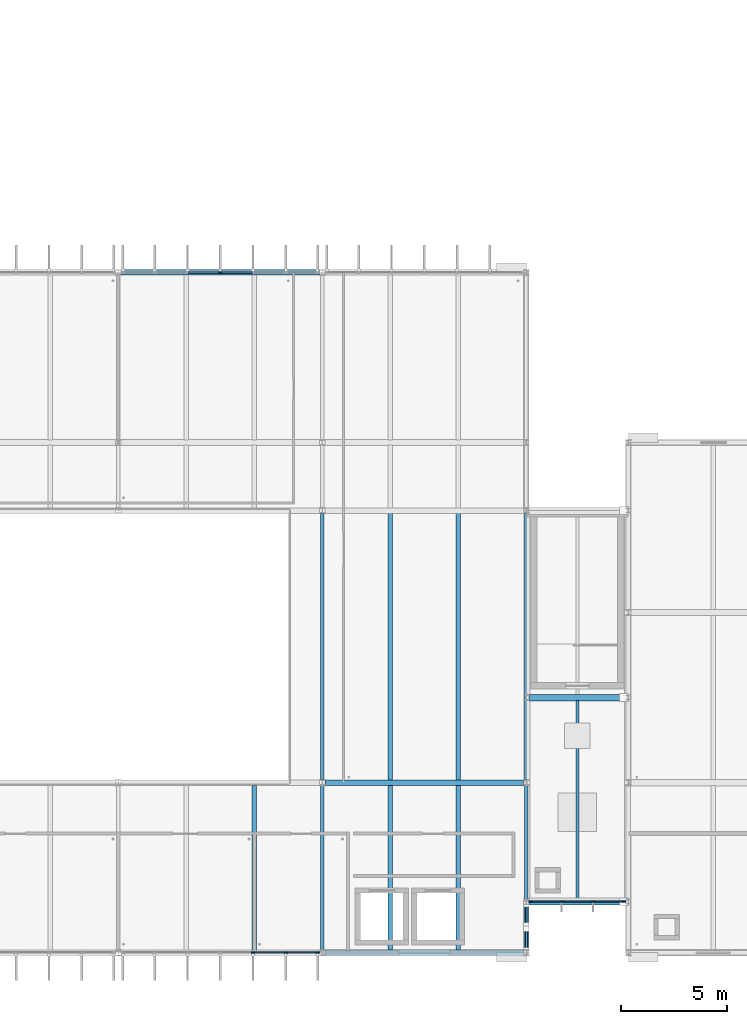
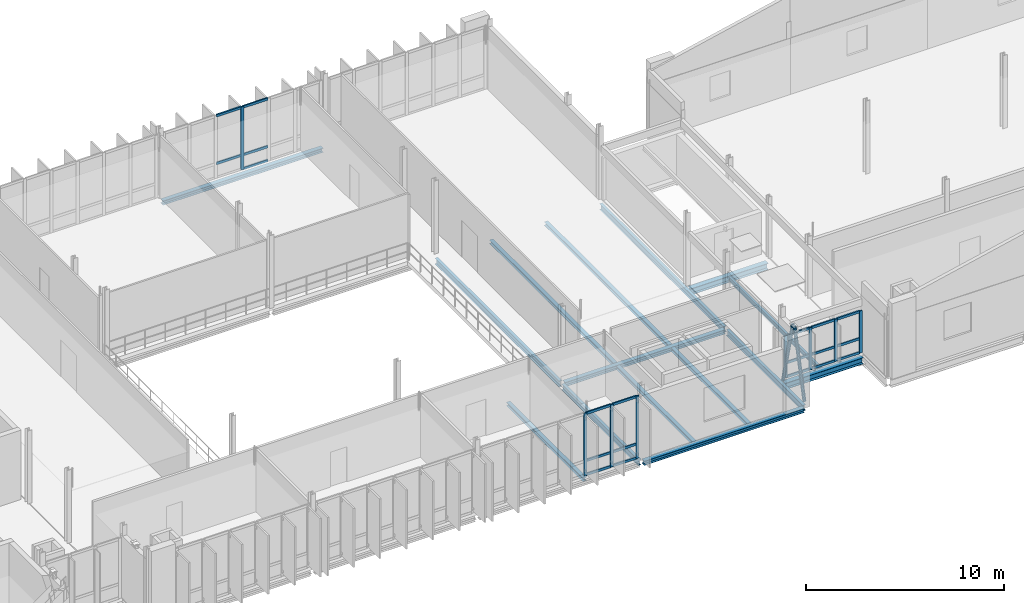
# One storey, part 22 of 59: 30 members, 15 beams, 3 elements without a shape of their own.
"""IFC4 building model written with IfcOpenShell, lengths in metres."""

from ifc_helpers import new_model, si_unit, direction, frame, origin, origin_2d, place, context, subcontext, project, spatial, rectangle, hollow_circle, i_section, extrude, material, material_profile, profile_set, type_object, element, aggregate, save


model = new_model("IFC4")

# Units and contexts
model_context = context("Model", 3, precision=1e-05, world=origin(), true_north=direction((0.0, 1.0)))
body_context = subcontext(model_context, "Body", "Model", "MODEL_VIEW")
ifc_project = project(units=[si_unit("LENGTHUNIT", "METRE"), si_unit("AREAUNIT", "SQUARE_METRE"), si_unit("VOLUMEUNIT", "CUBIC_METRE"), si_unit("PLANEANGLEUNIT", "RADIAN"), si_unit("MASSUNIT", "GRAM", prefix="KILO")], contexts=[model_context])

# Site, building, storey
site_placement = place(None, origin())
site = spatial("IfcSite", under=ifc_project, at=site_placement, CompositionType="ELEMENT")
building_placement = place(site_placement, origin())
building = spatial("IfcBuilding", under=site, at=building_placement, Name="Dunescarp Central Library", CompositionType="ELEMENT")
storey_placement = place(building_placement, frame((0.0, 0.0, 18.60009765625)))
storey = spatial("IfcBuildingStorey", under=building, at=storey_placement, Name="L04", CompositionType="ELEMENT", Elevation=18.60009765625)

# Curtain wall, members
ifc_material_1 = material(Name="Marine-grade anodised aluminium 6063-T6", Category="aluminium")
curtain_wall_type_1 = type_object("IfcCurtainWallType", Name="ARC-CW-STICK", PredefinedType="NOTDEFINED", material=ifc_material_1)
curtain_wall_1_placement = place(storey_placement, origin())
curtain_wall_1 = element("IfcCurtainWall", 1, at=curtain_wall_1_placement, inside=storey, type_object=curtain_wall_type_1, Name="L04 curtain wall CW-V2-069", PredefinedType="NOTDEFINED")
ifc_material_profile_1 = material_profile(ifc_material_1, rectangle(XDim=0.080078125, YDim=0.179931640625, at=origin_2d()), Name="AL 80x180")
ifc_profile_set_1 = profile_set([ifc_material_profile_1], Name="Marine-grade anodised aluminium 6063-T6")
member_type_1 = type_object("IfcMemberType", Name="ARC-CWM-180", PredefinedType="MULLION", material=ifc_profile_set_1)
member_1_placement = place(storey_placement, frame((66.985107421875, 4.800048828125, 0.0), z_axis=(0.0, 0.0, 1.0), x_axis=(0.0, -1.0, 0.0)))
member_1 = element("IfcMember", 2, at=member_1_placement, type_object=member_type_1, Name="CW-V2-069 mullion 1", PredefinedType="MULLION", context=body_context, shape_type="SweptSolid", body=[
    extrude(rectangle(XDim=0.080078125, YDim=0.179931640625, at=origin_2d()), origin(), (0.0, 0.0, 1.0), 3.85498046875),
])
member_2_placement = place(storey_placement, frame((65.4833984375, 4.800048828125, 0.0), z_axis=(0.0, 0.0, 1.0), x_axis=(0.0, -1.0, 0.0)))
member_2 = element("IfcMember", 3, at=member_2_placement, type_object=member_type_1, Name="CW-V2-069 mullion 2", PredefinedType="MULLION", context=body_context, shape_type="SweptSolid", body=[
    extrude(rectangle(XDim=0.080078125, YDim=0.179931640625, at=origin_2d()), origin(), (0.0, 0.0, 1.0), 3.85498046875),
])
member_3_placement = place(storey_placement, frame((63.941650390625, 4.800048828125, 0.0), z_axis=(0.0, 0.0, 1.0), x_axis=(0.0, -1.0, 0.0)))
member_3 = element("IfcMember", 4, at=member_3_placement, type_object=member_type_1, Name="CW-V2-069 mullion 3", PredefinedType="MULLION", context=body_context, shape_type="SweptSolid", body=[
    extrude(rectangle(XDim=0.080078125, YDim=0.179931640625, at=origin_2d()), origin(), (0.0, 0.0, 1.0), 3.85498046875),
])

# Curtain wall, member
curtain_wall_2_placement = place(storey_placement, origin())
curtain_wall_2 = element("IfcCurtainWall", 5, at=curtain_wall_2_placement, inside=storey, type_object=curtain_wall_type_1, Name="L04 curtain wall CW-V2-072", PredefinedType="NOTDEFINED")
member_4_placement = place(storey_placement, frame((62.39990234375, 36.800048828125, 0.0), z_axis=(0.0, 0.0, 1.0), x_axis=(0.0, 1.0, 0.0)))
member_4 = element("IfcMember", 6, at=member_4_placement, type_object=member_type_1, Name="CW-V2-072 mullion 4", PredefinedType="MULLION", context=body_context, shape_type="SweptSolid", body=[
    extrude(rectangle(XDim=0.080078125, YDim=0.179931640625, at=origin_2d()), origin(), (0.0, 0.0, 1.0), 3.87890625),
])

# Curtain wall, members
curtain_wall_type_2 = type_object("IfcCurtainWallType", Name="ARC-CW-LINK", PredefinedType="USERDEFINED", material=ifc_material_1)
curtain_wall_3_placement = place(storey_placement, origin())
curtain_wall_3 = element("IfcCurtainWall", 7, at=curtain_wall_3_placement, inside=storey, type_object=curtain_wall_type_2, Name="L04 curtain wall CW-GL2-S-L04", ObjectType="GLAZED_LINK_WALL", PredefinedType="USERDEFINED")
member_5_placement = place(storey_placement, frame((81.385009765625, 7.199951171875, 0.0), z_axis=(0.0, 0.0, 1.0), x_axis=(0.0, -1.0, 0.0)))
member_5 = element("IfcMember", 8, at=member_5_placement, type_object=member_type_1, Name="CW-GL2-S-L04 mullion 1", PredefinedType="MULLION", context=body_context, shape_type="SweptSolid", body=[
    extrude(rectangle(XDim=0.080078125, YDim=0.179931640625, at=origin_2d()), origin(), (0.0, 0.0, 1.0), 2.599853515625),
])
member_6_placement = place(storey_placement, frame((79.941650390625, 7.199951171875, 0.0), z_axis=(0.0, 0.0, 1.0), x_axis=(0.0, -1.0, 0.0)))
member_6 = element("IfcMember", 9, at=member_6_placement, type_object=member_type_1, Name="CW-GL2-S-L04 mullion 2", PredefinedType="MULLION", context=body_context, shape_type="SweptSolid", body=[
    extrude(rectangle(XDim=0.080078125, YDim=0.179931640625, at=origin_2d()), origin(), (0.0, 0.0, 1.0), 2.599853515625),
])
member_7_placement = place(storey_placement, frame((78.458251953125, 7.199951171875, 0.0), z_axis=(0.0, 0.0, 1.0), x_axis=(0.0, -1.0, 0.0)))
member_7 = element("IfcMember", 10, at=member_7_placement, type_object=member_type_1, Name="CW-GL2-S-L04 mullion 3", PredefinedType="MULLION", context=body_context, shape_type="SweptSolid", body=[
    extrude(rectangle(XDim=0.080078125, YDim=0.179931640625, at=origin_2d()), origin(), (0.0, 0.0, 1.0), 2.599853515625),
])
member_8_placement = place(storey_placement, frame((77.014892578125, 7.199951171875, 0.0), z_axis=(0.0, 0.0, 1.0), x_axis=(0.0, -1.0, 0.0)))
member_8 = element("IfcMember", 11, at=member_8_placement, type_object=member_type_1, Name="CW-GL2-S-L04 mullion 4", PredefinedType="MULLION", context=body_context, shape_type="SweptSolid", body=[
    extrude(rectangle(XDim=0.080078125, YDim=0.179931640625, at=origin_2d()), origin(), (0.0, 0.0, 1.0), 2.599853515625),
])

# Member
ifc_material_profile_2 = material_profile(ifc_material_1, rectangle(XDim=0.080078125, YDim=0.14990234375, at=origin_2d()), Name="AL 80x150")
ifc_profile_set_2 = profile_set([ifc_material_profile_2], Name="Marine-grade anodised aluminium 6063-T6")
member_type_2 = type_object("IfcMemberType", Name="ARC-CWT-150", PredefinedType="USERDEFINED", material=ifc_profile_set_2)
member_9_placement = place(storey_placement, frame((66.945068359375, 4.800048828125, 0.039794921875), z_axis=(-1.0, 0.0, 0.0), x_axis=(0.0, -1.0, 0.0)))
member_9 = element("IfcMember", 12, at=member_9_placement, type_object=member_type_2, Name="CW-V2-069 transom 1.1", ObjectType="TRANSOM", PredefinedType="USERDEFINED", context=body_context, shape_type="SweptSolid", body=[
    extrude(rectangle(XDim=0.080078125, YDim=0.14990234375, at=origin_2d()), origin(), (0.0, 0.0, 1.0), 1.421630859375),
])

member_10_placement = place(storey_placement, frame((66.945068359375, 4.800048828125, 0.89990234375), z_axis=(-1.0, 0.0, 0.0), x_axis=(0.0, -1.0, 0.0)))
member_10 = element("IfcMember", 13, at=member_10_placement, type_object=member_type_2, Name="CW-V2-069 transom 1.2", ObjectType="TRANSOM", PredefinedType="USERDEFINED", context=body_context, shape_type="SweptSolid", body=[
    extrude(rectangle(XDim=0.080078125, YDim=0.14990234375, at=origin_2d()), origin(), (0.0, 0.0, 1.0), 1.421630859375),
])

member_11_placement = place(storey_placement, frame((66.945068359375, 4.800048828125, 3.81494140625), z_axis=(-1.0, 0.0, 0.0), x_axis=(0.0, -1.0, 0.0)))
member_11 = element("IfcMember", 14, at=member_11_placement, type_object=member_type_2, Name="CW-V2-069 transom 1.3", ObjectType="TRANSOM", PredefinedType="USERDEFINED", context=body_context, shape_type="SweptSolid", body=[
    extrude(rectangle(XDim=0.080078125, YDim=0.14990234375, at=origin_2d()), origin(), (0.0, 0.0, 1.0), 1.421630859375),
])

member_12_placement = place(storey_placement, frame((65.443359375, 4.800048828125, 0.039794921875), z_axis=(-1.0, 0.0, 0.0), x_axis=(0.0, -1.0, 0.0)))
member_12 = element("IfcMember", 15, at=member_12_placement, type_object=member_type_2, Name="CW-V2-069 transom 2.1", ObjectType="TRANSOM", PredefinedType="USERDEFINED", context=body_context, shape_type="SweptSolid", body=[
    extrude(rectangle(XDim=0.080078125, YDim=0.14990234375, at=origin_2d()), origin(), (0.0, 0.0, 1.0), 1.461669921875),
])

member_13_placement = place(storey_placement, frame((65.443359375, 4.800048828125, 0.89990234375), z_axis=(-1.0, 0.0, 0.0), x_axis=(0.0, -1.0, 0.0)))
member_13 = element("IfcMember", 16, at=member_13_placement, type_object=member_type_2, Name="CW-V2-069 transom 2.2", ObjectType="TRANSOM", PredefinedType="USERDEFINED", context=body_context, shape_type="SweptSolid", body=[
    extrude(rectangle(XDim=0.080078125, YDim=0.14990234375, at=origin_2d()), origin(), (0.0, 0.0, 1.0), 1.461669921875),
])

member_14_placement = place(storey_placement, frame((65.443359375, 4.800048828125, 3.81494140625), z_axis=(-1.0, 0.0, 0.0), x_axis=(0.0, -1.0, 0.0)))
member_14 = element("IfcMember", 17, at=member_14_placement, type_object=member_type_2, Name="CW-V2-069 transom 2.3", ObjectType="TRANSOM", PredefinedType="USERDEFINED", context=body_context, shape_type="SweptSolid", body=[
    extrude(rectangle(XDim=0.080078125, YDim=0.14990234375, at=origin_2d()), origin(), (0.0, 0.0, 1.0), 1.461669921875),
])

aggregate(curtain_wall_1, [member_1, member_2, member_3, member_9, member_10, member_11, member_12, member_13, member_14])

member_15_placement = place(storey_placement, frame((60.8984375, 36.800048828125, 0.89990234375), z_axis=(1.0, 0.0, 0.0), x_axis=(0.0, 1.0, 0.0)))
member_15 = element("IfcMember", 18, at=member_15_placement, type_object=member_type_2, Name="CW-V2-072 transom 3.2", ObjectType="TRANSOM", PredefinedType="USERDEFINED", context=body_context, shape_type="SweptSolid", body=[
    extrude(rectangle(XDim=0.080078125, YDim=0.14990234375, at=origin_2d()), origin(), (0.0, 0.0, 1.0), 1.461669921875),
])

member_16_placement = place(storey_placement, frame((60.8984375, 36.800048828125, 3.8388671875), z_axis=(1.0, 0.0, 0.0), x_axis=(0.0, 1.0, 0.0)))
member_16 = element("IfcMember", 19, at=member_16_placement, type_object=member_type_2, Name="CW-V2-072 transom 3.3", ObjectType="TRANSOM", PredefinedType="USERDEFINED", context=body_context, shape_type="SweptSolid", body=[
    extrude(rectangle(XDim=0.080078125, YDim=0.14990234375, at=origin_2d()), origin(), (0.0, 0.0, 1.0), 1.461669921875),
])

member_17_placement = place(storey_placement, frame((62.43994140625, 36.800048828125, 0.039794921875), z_axis=(1.0, 0.0, 0.0), x_axis=(0.0, 1.0, 0.0)))
member_17 = element("IfcMember", 20, at=member_17_placement, type_object=member_type_2, Name="CW-V2-072 transom 4.1", ObjectType="TRANSOM", PredefinedType="USERDEFINED", context=body_context, shape_type="SweptSolid", body=[
    extrude(rectangle(XDim=0.080078125, YDim=0.14990234375, at=origin_2d()), origin(), (0.0, 0.0, 1.0), 1.461669921875),
])

member_18_placement = place(storey_placement, frame((62.43994140625, 36.800048828125, 0.89990234375), z_axis=(1.0, 0.0, 0.0), x_axis=(0.0, 1.0, 0.0)))
member_18 = element("IfcMember", 21, at=member_18_placement, type_object=member_type_2, Name="CW-V2-072 transom 4.2", ObjectType="TRANSOM", PredefinedType="USERDEFINED", context=body_context, shape_type="SweptSolid", body=[
    extrude(rectangle(XDim=0.080078125, YDim=0.14990234375, at=origin_2d()), origin(), (0.0, 0.0, 1.0), 1.461669921875),
])

member_19_placement = place(storey_placement, frame((62.43994140625, 36.800048828125, 3.8388671875), z_axis=(1.0, 0.0, 0.0), x_axis=(0.0, 1.0, 0.0)))
member_19 = element("IfcMember", 22, at=member_19_placement, type_object=member_type_2, Name="CW-V2-072 transom 4.3", ObjectType="TRANSOM", PredefinedType="USERDEFINED", context=body_context, shape_type="SweptSolid", body=[
    extrude(rectangle(XDim=0.080078125, YDim=0.14990234375, at=origin_2d()), origin(), (0.0, 0.0, 1.0), 1.461669921875),
])

aggregate(curtain_wall_2, [member_4, member_15, member_16, member_17, member_18, member_19])

member_20_placement = place(storey_placement, frame((81.344970703125, 7.199951171875, 0.039794921875), z_axis=(-1.0, 0.0, 0.0), x_axis=(0.0, -1.0, 0.0)))
member_20 = element("IfcMember", 23, at=member_20_placement, type_object=member_type_2, Name="CW-GL2-S-L04 transom 1.1", ObjectType="TRANSOM", PredefinedType="USERDEFINED", context=body_context, shape_type="SweptSolid", body=[
    extrude(rectangle(XDim=0.080078125, YDim=0.14990234375, at=origin_2d()), origin(), (0.0, 0.0, 1.0), 1.36328125),
])

member_21_placement = place(storey_placement, frame((81.344970703125, 7.199951171875, 0.89990234375), z_axis=(-1.0, 0.0, 0.0), x_axis=(0.0, -1.0, 0.0)))
member_21 = element("IfcMember", 24, at=member_21_placement, type_object=member_type_2, Name="CW-GL2-S-L04 transom 1.2", ObjectType="TRANSOM", PredefinedType="USERDEFINED", context=body_context, shape_type="SweptSolid", body=[
    extrude(rectangle(XDim=0.080078125, YDim=0.14990234375, at=origin_2d()), origin(), (0.0, 0.0, 1.0), 1.36328125),
])

member_22_placement = place(storey_placement, frame((81.344970703125, 7.199951171875, 2.559814453125), z_axis=(-1.0, 0.0, 0.0), x_axis=(0.0, -1.0, 0.0)))
member_22 = element("IfcMember", 25, at=member_22_placement, type_object=member_type_2, Name="CW-GL2-S-L04 transom 1.3", ObjectType="TRANSOM", PredefinedType="USERDEFINED", context=body_context, shape_type="SweptSolid", body=[
    extrude(rectangle(XDim=0.080078125, YDim=0.14990234375, at=origin_2d()), origin(), (0.0, 0.0, 1.0), 1.36328125),
])

member_23_placement = place(storey_placement, frame((79.901611328125, 7.199951171875, 0.039794921875), z_axis=(-1.0, 0.0, 0.0), x_axis=(0.0, -1.0, 0.0)))
member_23 = element("IfcMember", 26, at=member_23_placement, type_object=member_type_2, Name="CW-GL2-S-L04 transom 2.1", ObjectType="TRANSOM", PredefinedType="USERDEFINED", context=body_context, shape_type="SweptSolid", body=[
    extrude(rectangle(XDim=0.080078125, YDim=0.14990234375, at=origin_2d()), origin(), (0.0, 0.0, 1.0), 1.4033203125),
])

member_24_placement = place(storey_placement, frame((79.901611328125, 7.199951171875, 0.89990234375), z_axis=(-1.0, 0.0, 0.0), x_axis=(0.0, -1.0, 0.0)))
member_24 = element("IfcMember", 27, at=member_24_placement, type_object=member_type_2, Name="CW-GL2-S-L04 transom 2.2", ObjectType="TRANSOM", PredefinedType="USERDEFINED", context=body_context, shape_type="SweptSolid", body=[
    extrude(rectangle(XDim=0.080078125, YDim=0.14990234375, at=origin_2d()), origin(), (0.0, 0.0, 1.0), 1.4033203125),
])

member_25_placement = place(storey_placement, frame((79.901611328125, 7.199951171875, 2.559814453125), z_axis=(-1.0, 0.0, 0.0), x_axis=(0.0, -1.0, 0.0)))
member_25 = element("IfcMember", 28, at=member_25_placement, type_object=member_type_2, Name="CW-GL2-S-L04 transom 2.3", ObjectType="TRANSOM", PredefinedType="USERDEFINED", context=body_context, shape_type="SweptSolid", body=[
    extrude(rectangle(XDim=0.080078125, YDim=0.14990234375, at=origin_2d()), origin(), (0.0, 0.0, 1.0), 1.4033203125),
])

member_26_placement = place(storey_placement, frame((78.418212890625, 7.199951171875, 0.039794921875), z_axis=(-1.0, 0.0, 0.0), x_axis=(0.0, -1.0, 0.0)))
member_26 = element("IfcMember", 29, at=member_26_placement, type_object=member_type_2, Name="CW-GL2-S-L04 transom 3.1", ObjectType="TRANSOM", PredefinedType="USERDEFINED", context=body_context, shape_type="SweptSolid", body=[
    extrude(rectangle(XDim=0.080078125, YDim=0.14990234375, at=origin_2d()), origin(), (0.0, 0.0, 1.0), 1.36328125),
])

member_27_placement = place(storey_placement, frame((78.418212890625, 7.199951171875, 0.89990234375), z_axis=(-1.0, 0.0, 0.0), x_axis=(0.0, -1.0, 0.0)))
member_27 = element("IfcMember", 30, at=member_27_placement, type_object=member_type_2, Name="CW-GL2-S-L04 transom 3.2", ObjectType="TRANSOM", PredefinedType="USERDEFINED", context=body_context, shape_type="SweptSolid", body=[
    extrude(rectangle(XDim=0.080078125, YDim=0.14990234375, at=origin_2d()), origin(), (0.0, 0.0, 1.0), 1.36328125),
])

member_28_placement = place(storey_placement, frame((78.418212890625, 7.199951171875, 2.559814453125), z_axis=(-1.0, 0.0, 0.0), x_axis=(0.0, -1.0, 0.0)))
member_28 = element("IfcMember", 31, at=member_28_placement, type_object=member_type_2, Name="CW-GL2-S-L04 transom 3.3", ObjectType="TRANSOM", PredefinedType="USERDEFINED", context=body_context, shape_type="SweptSolid", body=[
    extrude(rectangle(XDim=0.080078125, YDim=0.14990234375, at=origin_2d()), origin(), (0.0, 0.0, 1.0), 1.36328125),
])

aggregate(curtain_wall_3, [member_5, member_6, member_7, member_8, member_20, member_21, member_22, member_23, member_24, member_25, member_26, member_27, member_28])

# Beams
ifc_material_2 = material(Name="Steel S355JR", Category="steel")
ifc_material_profile_3 = material_profile(ifc_material_2, i_section(OverallWidth=0.300048828125, OverallDepth=0.389892578125, WebThickness=0.010986328125, FlangeThickness=0.01904296875, at=origin_2d()), Name="HEA 400")
ifc_profile_set_3 = profile_set([ifc_material_profile_3], Name="Steel S355JR")
beam_type_1 = type_object("IfcBeamType", Name="STR-BM-HEA400", PredefinedType="BEAM", material=ifc_profile_set_3)
for number, where, z_axis, x_axis, name in (
    (32, (76.925048828125, 7.199951171875, -0.445068359375), (1.0, 0.0, 0.0), (0.0, 1.0, 0.0), "L04 girder BM-L04-1253"),
    (33, (76.925048828125, 16.800048828125, -0.445068359375), (1.0, 0.0, 0.0), (0.0, 1.0, 0.0), "L04 girder BM-L04-1254"),
):
    element("IfcBeam", number, at=place(storey_placement, frame(where, z_axis=z_axis, x_axis=x_axis)), inside=storey, type_object=beam_type_1, Name=name, PredefinedType="BEAM", context=body_context, shape_type="SweptSolid", body=[
        extrude(i_section(OverallWidth=0.300048828125, OverallDepth=0.389892578125, WebThickness=0.010986328125, FlangeThickness=0.01904296875, at=origin_2d()), origin(), (0.0, 0.0, 1.0), 4.550048828125),
    ])
ifc_material_profile_4 = material_profile(ifc_material_2, i_section(OverallWidth=0.260009765625, OverallDepth=0.260009765625, WebThickness=0.010009765625, FlangeThickness=0.017578125, at=origin_2d()), Name="HEB 260")
ifc_profile_set_4 = profile_set([ifc_material_profile_4], Name="Steel S355JR")
beam_type_2 = type_object("IfcBeamType", Name="STR-BM-HEB260", PredefinedType="BEAM", material=ifc_profile_set_4)
beam_1_placement = place(storey_placement, frame((57.72802734375, 36.800048828125, -0.380126953125), z_axis=(1.0, 0.0, 0.0), x_axis=(0.0, 1.0, 0.0)))
element("IfcBeam", 34, at=beam_1_placement, inside=storey, type_object=beam_type_2, Name="L04 girder BM-L04-0584", PredefinedType="BEAM", context=body_context, shape_type="SweptSolid", body=[
    extrude(i_section(OverallWidth=0.260009765625, OverallDepth=0.260009765625, WebThickness=0.010009765625, FlangeThickness=0.017578125, at=origin_2d()), origin(), (0.0, 0.0, 1.0), 9.343994140625),
])
for number, where, z_axis, x_axis, name in (
    (35, (67.327880859375, 4.800048828125, -0.380126953125), (1.0, 0.0, 0.0), (0.0, 1.0, 0.0), "L04 girder BM-L04-0588"),
    (36, (67.327880859375, 12.800048828125, -0.380126953125), (1.0, 0.0, 0.0), (0.0, 1.0, 0.0), "L04 girder BM-L04-0589"),
):
    element("IfcBeam", number, at=place(storey_placement, frame(where, z_axis=z_axis, x_axis=x_axis)), inside=storey, type_object=beam_type_2, Name=name, PredefinedType="BEAM", context=body_context, shape_type="SweptSolid", body=[
        extrude(i_section(OverallWidth=0.260009765625, OverallDepth=0.260009765625, WebThickness=0.010009765625, FlangeThickness=0.017578125, at=origin_2d()), origin(), (0.0, 0.0, 1.0), 9.34423828125),
    ])
ifc_material_profile_5 = material_profile(ifc_material_2, i_section(OverallWidth=0.173095703125, OverallDepth=0.36328125, WebThickness=0.009033203125, FlangeThickness=0.015625, at=origin_2d()), Name="UB 356x171x67")
ifc_profile_set_5 = profile_set([ifc_material_profile_5], Name="Steel S355JR")
beam_type_3 = type_object("IfcBeamType", Name="STR-BM-UB356X67", PredefinedType="BEAM", material=ifc_profile_set_5)
beam_2_placement = place(storey_placement, frame((67.199951171875, 4.93505859375, -0.43212890625), z_axis=(0.0, 1.0, 0.0), x_axis=(-1.0, 0.0, 0.0)))
element("IfcBeam", 37, at=beam_2_placement, inside=storey, type_object=beam_type_3, Name="L04 girder BM-L04-0575", PredefinedType="BEAM", context=body_context, shape_type="SweptSolid", body=[
    extrude(i_section(OverallWidth=0.173095703125, OverallDepth=0.36328125, WebThickness=0.009033203125, FlangeThickness=0.015625, at=origin_2d()), origin(), (0.0, 0.0, 1.0), 7.72998046875),
])
beam_3_placement = place(storey_placement, frame((67.199951171875, 12.93505859375, -0.43212890625), z_axis=(0.0, 1.0, 0.0), x_axis=(-1.0, 0.0, 0.0)))
element("IfcBeam", 38, at=beam_3_placement, inside=storey, type_object=beam_type_3, Name="L04 girder BM-L04-0579", PredefinedType="BEAM", context=body_context, shape_type="SweptSolid", body=[
    extrude(i_section(OverallWidth=0.173095703125, OverallDepth=0.36328125, WebThickness=0.009033203125, FlangeThickness=0.015625, at=origin_2d()), origin(), (0.0, 0.0, 1.0), 12.530029296875),
])
beam_4_placement = place(storey_placement, frame((76.800048828125, 4.93505859375, -0.43212890625), z_axis=(0.0, 1.0, 0.0), x_axis=(-1.0, 0.0, 0.0)))
element("IfcBeam", 39, at=beam_4_placement, inside=storey, type_object=beam_type_3, Name="L04 girder BM-L04-0590", PredefinedType="BEAM", context=body_context, shape_type="SweptSolid", body=[
    extrude(i_section(OverallWidth=0.173095703125, OverallDepth=0.36328125, WebThickness=0.009033203125, FlangeThickness=0.015625, at=origin_2d()), origin(), (0.0, 0.0, 1.0), 7.72998046875),
])
beam_5_placement = place(storey_placement, frame((76.800048828125, 12.93505859375, -0.43212890625), z_axis=(0.0, 1.0, 0.0), x_axis=(-1.0, 0.0, 0.0)))
element("IfcBeam", 40, at=beam_5_placement, inside=storey, type_object=beam_type_3, Name="L04 girder BM-L04-0594", PredefinedType="BEAM", context=body_context, shape_type="SweptSolid", body=[
    extrude(i_section(OverallWidth=0.173095703125, OverallDepth=0.36328125, WebThickness=0.009033203125, FlangeThickness=0.015625, at=origin_2d()), origin(), (0.0, 0.0, 1.0), 12.530029296875),
])

# Members
ifc_material_3 = material(Name="Steel S355J0", Category="steel")
ifc_material_profile_6 = material_profile(ifc_material_3, hollow_circle(Radius=0.096923828125, WallThickness=0.010009765625, at=origin_2d()), Name="CHS 193.7x10")
ifc_profile_set_6 = profile_set([ifc_material_profile_6], Name="Steel S355J0")
member_type_3 = type_object("IfcMemberType", Name="STR-BR-193", PredefinedType="BRACE", material=ifc_profile_set_6)
for number, where, z_axis, x_axis, name in (
    (41, (76.800048828125, 4.919921875, 0.0), (0.0, 0.24028506098, 0.970702369148), (-1.0, 0.0, 0.0), "L04 concentric brace BR-L04-031"),
    (42, (76.800048828125, 7.080078125, 0.0), (0.0, -0.24028506098, 0.970702369148), (1.0, 0.0, 0.0), "L04 concentric brace BR-L04-032"),
):
    element("IfcMember", number, at=place(storey_placement, frame(where, z_axis=z_axis, x_axis=x_axis)), inside=storey, type_object=member_type_3, Name=name, PredefinedType="BRACE", context=body_context, shape_type="SweptSolid", body=[
        extrude(hollow_circle(Radius=0.096923828125, WallThickness=0.010009765625, at=origin_2d()), origin(), (0.0, 0.0, 1.0), 4.16162109375),
    ])

# Beams
ifc_material_profile_7 = material_profile(ifc_material_2, i_section(OverallWidth=0.219970703125, OverallDepth=0.2099609375, WebThickness=0.007080078125, FlangeThickness=0.010986328125, at=origin_2d()), Name="HEA 220")
ifc_profile_set_7 = profile_set([ifc_material_profile_7], Name="Steel S355JR")
beam_type_4 = type_object("IfcBeamType", Name="STR-JS-HEA220", PredefinedType="JOIST", material=ifc_profile_set_7)
for number, where, z_axis, x_axis, name in (
    (43, (64.0, 4.927978515625, -0.35498046875), (0.0, 1.0, 0.0), (-1.0, 0.0, 0.0), "L04 joist JS-L04-0577"),
    (44, (70.39990234375, 4.927978515625, -0.35498046875), (0.0, 1.0, 0.0), (-1.0, 0.0, 0.0), "L04 joist JS-L04-0591"),
    (45, (73.60009765625, 4.927978515625, -0.35498046875), (0.0, 1.0, 0.0), (-1.0, 0.0, 0.0), "L04 joist JS-L04-0592"),
):
    element("IfcBeam", number, at=place(storey_placement, frame(where, z_axis=z_axis, x_axis=x_axis)), inside=storey, type_object=beam_type_4, Name=name, PredefinedType="JOIST", context=body_context, shape_type="SweptSolid", body=[
        extrude(i_section(OverallWidth=0.219970703125, OverallDepth=0.2099609375, WebThickness=0.007080078125, FlangeThickness=0.010986328125, at=origin_2d()), origin(), (0.0, 0.0, 1.0), 7.744140625),
    ])
for number, where, z_axis, x_axis, name in (
    (46, (70.39990234375, 12.927978515625, -0.35498046875), (0.0, 1.0, 0.0), (-1.0, 0.0, 0.0), "L04 joist JS-L04-0595"),
    (47, (73.60009765625, 12.927978515625, -0.35498046875), (0.0, 1.0, 0.0), (-1.0, 0.0, 0.0), "L04 joist JS-L04-0596"),
):
    element("IfcBeam", number, at=place(storey_placement, frame(where, z_axis=z_axis, x_axis=x_axis)), inside=storey, type_object=beam_type_4, Name=name, PredefinedType="JOIST", context=body_context, shape_type="SweptSolid", body=[
        extrude(i_section(OverallWidth=0.219970703125, OverallDepth=0.2099609375, WebThickness=0.007080078125, FlangeThickness=0.010986328125, at=origin_2d()), origin(), (0.0, 0.0, 1.0), 12.5439453125),
    ])
ifc_material_profile_8 = material_profile(ifc_material_2, i_section(OverallWidth=0.135009765625, OverallDepth=0.27001953125, WebThickness=0.006591796875, FlangeThickness=0.01025390625, at=origin_2d()), Name="IPE 270")
ifc_profile_set_8 = profile_set([ifc_material_profile_8], Name="Steel S355JR")
beam_type_5 = type_object("IfcBeamType", Name="STR-JS-IPE270", PredefinedType="JOIST", material=ifc_profile_set_8)
beam_6_placement = place(storey_placement, frame((79.199951171875, 7.347900390625, -0.385009765625), z_axis=(0.0, 1.0, 0.0), x_axis=(-1.0, 0.0, 0.0)))
element("IfcBeam", 48, at=beam_6_placement, inside=storey, type_object=beam_type_5, Name="L04 joist JS-L04-1255", PredefinedType="JOIST", context=body_context, shape_type="SweptSolid", body=[
    extrude(i_section(OverallWidth=0.135009765625, OverallDepth=0.27001953125, WebThickness=0.006591796875, FlangeThickness=0.01025390625, at=origin_2d()), origin(), (0.0, 0.0, 1.0), 9.30419921875),
])

save(model, "model.ifc")
